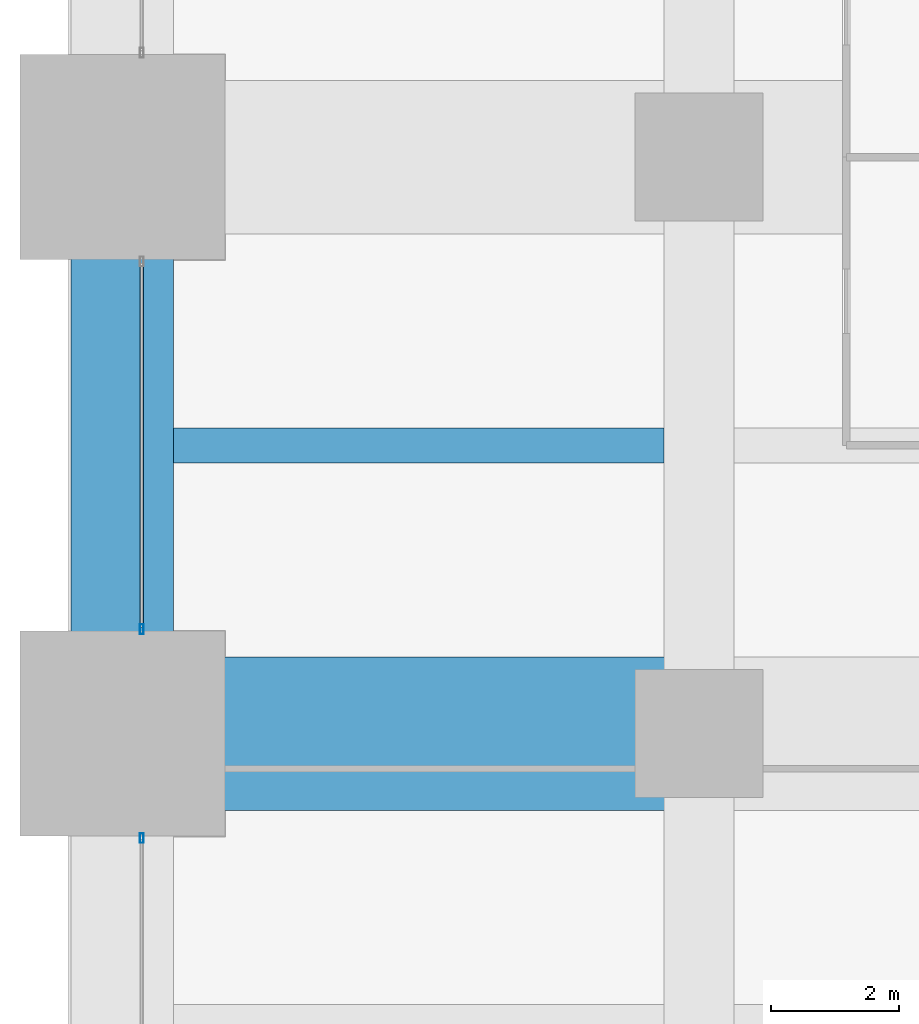
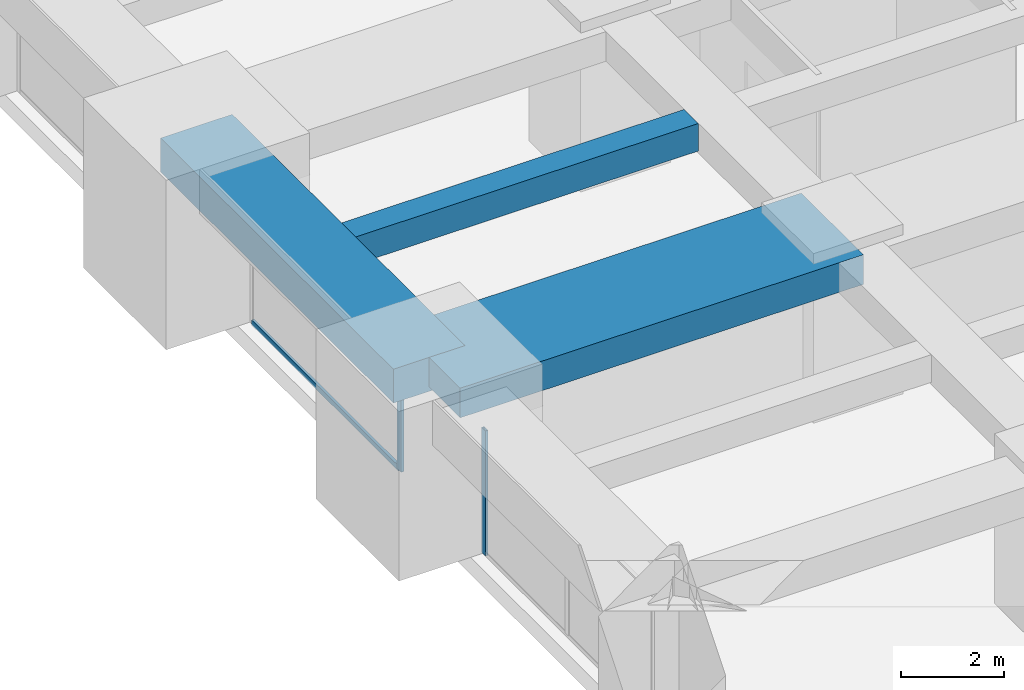
# One storey, part 10 of 35: 3 beams, 3 members, 2 elements without a shape of their own.
"""IFC4 building model written with IfcOpenShell, lengths in metres."""

from ifc_helpers import new_model, si_unit, direction, frame, origin, origin_2d, place, context, subcontext, project, spatial, rectangle, hollow_rectangle, extrude, material, material_profile, profile_set, type_object, element, aggregate, save


model = new_model("IFC4")

# Units and contexts
model_context = context("Model", 3, precision=1e-05, world=origin(), true_north=direction((0.0, 1.0)))
body_context = subcontext(model_context, "Body", "Model", "MODEL_VIEW")
ifc_project = project(units=[si_unit("LENGTHUNIT", "METRE"), si_unit("AREAUNIT", "SQUARE_METRE"), si_unit("VOLUMEUNIT", "CUBIC_METRE"), si_unit("PLANEANGLEUNIT", "RADIAN"), si_unit("MASSUNIT", "GRAM", prefix="KILO")], contexts=[model_context])

# Site, building, storey
site_placement = place(None, origin())
site = spatial("IfcSite", under=ifc_project, at=site_placement, CompositionType="ELEMENT")
building_placement = place(site_placement, origin())
building = spatial("IfcBuilding", under=site, at=building_placement, Name="Zorevar Civic Tower", CompositionType="ELEMENT")
storey_placement = place(building_placement, frame((0.0, 0.0, 162.199951171875)))
storey = spatial("IfcBuildingStorey", under=building, at=storey_placement, Name="L39", CompositionType="ELEMENT", Elevation=162.199951171875)

# Beams
ifc_material_1 = material(Name="Concrete C50/60", Category="concrete")
ifc_material_profile_1 = material_profile(ifc_material_1, rectangle(XDim=2.39990234375, YDim=0.699951171875, at=origin_2d()), Name="RC 2400x700")
ifc_profile_set_1 = profile_set([ifc_material_profile_1], Name="Concrete C50/60")
beam_type_1 = type_object("IfcBeamType", Name="Beam RC 2400x700", PredefinedType="BEAM", material=ifc_profile_set_1)
beam_1_placement = place(storey_placement, frame((0.0, 18.0, 3.400146484375), z_axis=(1.0, 0.0, 0.0), x_axis=(0.0, 1.0, 0.0)))
element("IfcBeam", 1, at=beam_1_placement, inside=storey, type_object=beam_type_1, Name="Girder L40", PredefinedType="BEAM", context=body_context, shape_type="SweptSolid", body=[
    extrude(rectangle(XDim=2.39990234375, YDim=0.699951171875, at=origin_2d()), origin(), (0.0, 0.0, 1.0), 9.0),
])
ifc_material_2 = material(Name="Concrete C50/60", Category="concrete")
ifc_material_profile_2 = material_profile(ifc_material_2, rectangle(XDim=0.550048828125, YDim=0.64990234375, at=origin_2d()), Name="RC 550x650")
ifc_profile_set_2 = profile_set([ifc_material_profile_2], Name="Concrete C50/60")
beam_type_2 = type_object("IfcBeamType", Name="Beam RC 550x650", PredefinedType="BEAM", material=ifc_profile_set_2)
beam_2_placement = place(storey_placement, frame((0.800048828125, 22.5, 3.425048828125), z_axis=(1.0, 0.0, 0.0), x_axis=(0.0, 1.0, 0.0)))
element("IfcBeam", 2, at=beam_2_placement, inside=storey, type_object=beam_type_2, Name="Secondary beam L40", PredefinedType="BEAM", context=body_context, shape_type="SweptSolid", body=[
    extrude(rectangle(XDim=0.550048828125, YDim=0.64990234375, at=origin_2d()), origin(), (0.0, 0.0, 1.0), 7.64990234375),
])

# Curtain wall, member
ifc_material_3 = material(Name="Dark grey solar-control glass in black aluminium frame", Category="aluminium")
curtain_wall_type = type_object("IfcCurtainWallType", Name="Curtain wall CW4 high zone", PredefinedType="NOTDEFINED", material=ifc_material_3)
curtain_wall_1_placement = place(storey_placement, origin())
curtain_wall_1 = element("IfcCurtainWall", 3, at=curtain_wall_1_placement, inside=storey, type_object=curtain_wall_type, Name="CW4 L39", PredefinedType="NOTDEFINED")
ifc_material_4 = material(Name="Aluminium, black anodised", Category="aluminium")
ifc_material_profile_3 = material_profile(ifc_material_4, hollow_rectangle(XDim=0.06005859375, YDim=0.14990234375, WallThickness=0.00390625, at=origin_2d()), Name="AL 150x60x4")
ifc_profile_set_3 = profile_set([ifc_material_profile_3], Name="Aluminium, black anodised")
member_type_1 = type_object("IfcMemberType", Name="CW4 mullion AL 150x60x4", PredefinedType="MULLION", material=ifc_profile_set_3)
member_1_placement = place(storey_placement, frame((0.300048828125, 16.3701171875, 0.0), z_axis=(0.0, 0.0, 1.0), x_axis=(-1.0, 0.0, 0.0)))
member_1 = element("IfcMember", 4, at=member_1_placement, type_object=member_type_1, Name="CW4 mullion 3", PredefinedType="MULLION", context=body_context, shape_type="SweptSolid", body=[
    extrude(hollow_rectangle(XDim=0.06005859375, YDim=0.14990234375, WallThickness=0.00390625, at=origin_2d()), origin(), (0.0, 0.0, 1.0), 2.949951171875),
])
aggregate(curtain_wall_1, [member_1])

# Curtain wall, members
curtain_wall_2_placement = place(storey_placement, origin())
curtain_wall_2 = element("IfcCurtainWall", 5, at=curtain_wall_2_placement, inside=storey, type_object=curtain_wall_type, Name="CW4 L39", PredefinedType="NOTDEFINED")
member_2_placement = place(storey_placement, frame((0.300048828125, 19.6298828125, 0.0), z_axis=(0.0, 0.0, 1.0), x_axis=(-1.0, 0.0, 0.0)))
member_2 = element("IfcMember", 6, at=member_2_placement, type_object=member_type_1, Name="CW4 mullion 1", PredefinedType="MULLION", context=body_context, shape_type="SweptSolid", body=[
    extrude(hollow_rectangle(XDim=0.06005859375, YDim=0.14990234375, WallThickness=0.00390625, at=origin_2d()), origin(), (0.0, 0.0, 1.0), 2.949951171875),
])
ifc_material_5 = material(Name="Aluminium, black anodised", Category="aluminium")
ifc_material_profile_4 = material_profile(ifc_material_5, hollow_rectangle(XDim=0.06005859375, YDim=0.1201171875, WallThickness=0.0029296875, at=origin_2d()), Name="AL 120x60x3")
ifc_profile_set_4 = profile_set([ifc_material_profile_4], Name="Aluminium, black anodised")
member_type_2 = type_object("IfcMemberType", Name="CW4 transom AL 120x60x3", PredefinedType="USERDEFINED", material=ifc_profile_set_4)
member_3_placement = place(storey_placement, frame((0.300048828125, 19.659912109375, 0.030029296875), z_axis=(0.0, 1.0, 0.0), x_axis=(-1.0, 0.0, 0.0)))
member_3 = element("IfcMember", 7, at=member_3_placement, type_object=member_type_2, Name="CW4 sill transom", ObjectType="TRANSOM", PredefinedType="USERDEFINED", context=body_context, shape_type="SweptSolid", body=[
    extrude(hollow_rectangle(XDim=0.06005859375, YDim=0.1201171875, WallThickness=0.0029296875, at=origin_2d()), origin(), (0.0, 0.0, 1.0), 5.68017578125),
])
aggregate(curtain_wall_2, [member_2, member_3])

# Beam
ifc_material_6 = material(Name="Concrete C50/60", Category="concrete")
ifc_material_profile_5 = material_profile(ifc_material_6, rectangle(XDim=1.60009765625, YDim=0.800048828125, at=origin_2d()), Name="RC 1600x800")
ifc_profile_set_5 = profile_set([ifc_material_profile_5], Name="Concrete C50/60")
beam_type_3 = type_object("IfcBeamType", Name="Edge beam RC 1600x800", PredefinedType="SPANDREL", material=ifc_profile_set_5)
beam_3_placement = place(storey_placement, frame((0.0, 18.0, 3.35009765625), z_axis=(0.0, 1.0, 0.0), x_axis=(-1.0, 0.0, 0.0)))
element("IfcBeam", 8, at=beam_3_placement, inside=storey, type_object=beam_type_3, Name="Edge beam L40", PredefinedType="SPANDREL", context=body_context, shape_type="SweptSolid", body=[
    extrude(rectangle(XDim=1.60009765625, YDim=0.800048828125, at=origin_2d()), origin(), (0.0, 0.0, 1.0), 9.0),
])

save(model, "model.ifc")
